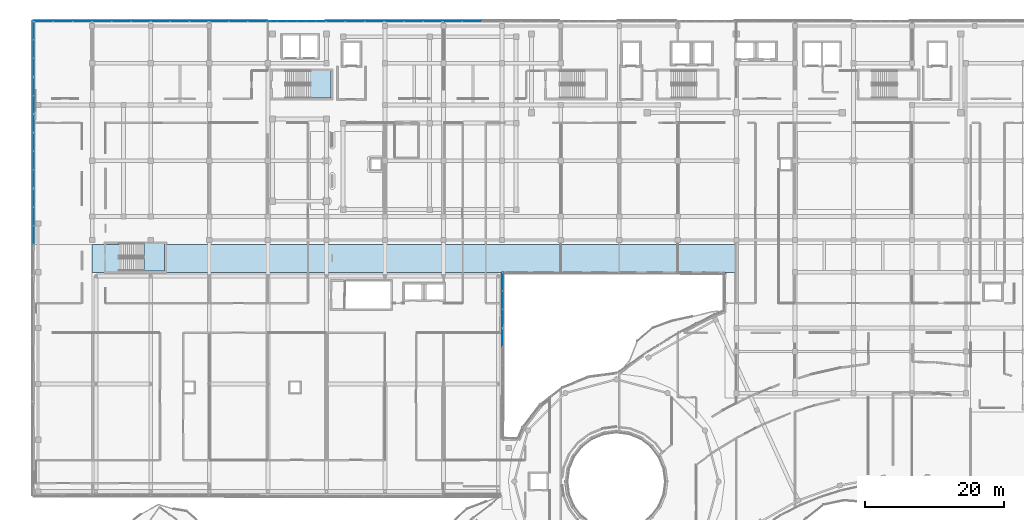
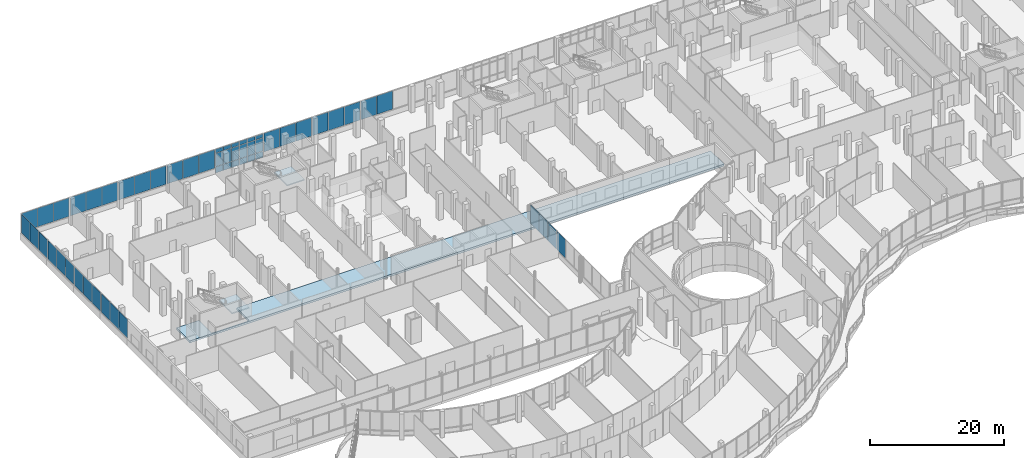
# One storey, part 122 of 155: 54 plates, 3 slabs, 16 elements without a shape of their own.
"""IFC4 building model written with IfcOpenShell, lengths in metres."""

from ifc_helpers import new_model, si_unit, direction, frame, origin, origin_2d, place, context, subcontext, project, spatial, polyline, rectangle, outline, extrude, material, layer, layer_set, type_object, element, aggregate, save


model = new_model("IFC4")

# Units and contexts
model_context = context("Model", 3, precision=1e-05, world=origin(), true_north=direction((0.0, 1.0)))
body_context = subcontext(model_context, "Body", "Model", "MODEL_VIEW")
ifc_project = project(units=[si_unit("LENGTHUNIT", "METRE"), si_unit("AREAUNIT", "SQUARE_METRE"), si_unit("VOLUMEUNIT", "CUBIC_METRE"), si_unit("PLANEANGLEUNIT", "RADIAN"), si_unit("MASSUNIT", "GRAM", prefix="KILO")], contexts=[model_context])

# Site, building, storey
site_placement = place(None, origin())
site = spatial("IfcSite", under=ifc_project, at=site_placement, CompositionType="ELEMENT")
building_placement = place(site_placement, origin())
building = spatial("IfcBuilding", under=site, at=building_placement, Name="Selatvlak General Hospital", CompositionType="ELEMENT")
storey_placement = place(building_placement, frame((0.0, 0.0, 10.199951171875)))
storey = spatial("IfcBuildingStorey", under=building, at=storey_placement, Name="L02", CompositionType="ELEMENT", Elevation=10.199951171875)

# Curtain wall, plates
ifc_material_1 = material(Name="Solar-control Low-E double glazing", Category="glass")
curtain_wall_type_1 = type_object("IfcCurtainWallType", Name="CW-CW-02", PredefinedType="USERDEFINED", material=ifc_material_1)
curtain_wall_1_placement = place(storey_placement, origin())
curtain_wall_1 = element("IfcCurtainWall", 1, at=curtain_wall_1_placement, inside=storey, type_object=curtain_wall_type_1, Name="Glazed facade curtain wall CW-L02-0239", ObjectType="UNITISED CURTAIN WALL", PredefinedType="USERDEFINED")
ifc_layer_1 = layer(ifc_material_1, 0.028076171875, Name="Solar-control Low-E double glazing", Category="glass")
ifc_layer_set_1 = layer_set([ifc_layer_1], Name="Solar-control Low-E double glazing")
plate_type = type_object("IfcPlateType", Name="CWP-01", PredefinedType="CURTAIN_PANEL", material=ifc_layer_set_1)
plate_1_placement = place(storey_placement, frame((14.39990234375, 89.358642578125, 1.0048828125), z_axis=(0.0, 0.0, 1.0), x_axis=(0.0, 1.0, 0.0)))
plate_1 = element("IfcPlate", 2, at=plate_1_placement, type_object=plate_type, Name="CW-02 panel 1.1", PredefinedType="CURTAIN_PANEL", context=body_context, shape_type="SweptSolid", body=[
    extrude(rectangle(XDim=2.55908203125, YDim=0.028076171875, at=origin_2d()), origin(), (0.0, 0.0, 1.0), 3.389892578125),
])
plate_2_placement = place(storey_placement, frame((14.39990234375, 91.9990234375, 1.0048828125), z_axis=(0.0, 0.0, 1.0), x_axis=(0.0, 1.0, 0.0)))
plate_2 = element("IfcPlate", 3, at=plate_2_placement, type_object=plate_type, Name="CW-02 panel 2.1", PredefinedType="CURTAIN_PANEL", context=body_context, shape_type="SweptSolid", body=[
    extrude(rectangle(XDim=2.591552734375, YDim=0.028076171875, at=origin_2d()), origin(), (0.0, 0.0, 1.0), 3.389892578125),
])
plate_3_placement = place(storey_placement, frame((14.39990234375, 94.639404296875, 1.0048828125), z_axis=(0.0, 0.0, 1.0), x_axis=(0.0, 1.0, 0.0)))
plate_3 = element("IfcPlate", 4, at=plate_3_placement, type_object=plate_type, Name="CW-02 panel 3.1", PredefinedType="CURTAIN_PANEL", context=body_context, shape_type="SweptSolid", body=[
    extrude(rectangle(XDim=2.55908203125, YDim=0.028076171875, at=origin_2d()), origin(), (0.0, 0.0, 1.0), 3.389892578125),
])
aggregate(curtain_wall_1, [plate_1, plate_2, plate_3])

curtain_wall_type_2 = type_object("IfcCurtainWallType", Name="CW-CW-01", PredefinedType="USERDEFINED", material=ifc_material_1)
curtain_wall_2_placement = place(storey_placement, origin())
curtain_wall_2 = element("IfcCurtainWall", 5, at=curtain_wall_2_placement, inside=storey, type_object=curtain_wall_type_2, Name="Glazed facade curtain wall CW-L02-0240", ObjectType="UNITISED CURTAIN WALL", PredefinedType="USERDEFINED")
plate_4_placement = place(storey_placement, frame((14.39990234375, 97.400146484375, 1.0048828125), z_axis=(0.0, 0.0, 1.0), x_axis=(0.0, 1.0, 0.0)))
plate_4 = element("IfcPlate", 6, at=plate_4_placement, type_object=plate_type, Name="CW-01 panel 1.1", PredefinedType="CURTAIN_PANEL", context=body_context, shape_type="SweptSolid", body=[
    extrude(rectangle(XDim=2.54248046875, YDim=0.028076171875, at=origin_2d()), origin(), (0.0, 0.0, 1.0), 3.389892578125),
])
plate_5_placement = place(storey_placement, frame((14.39990234375, 100.02392578125, 1.0048828125), z_axis=(0.0, 0.0, 1.0), x_axis=(0.0, 1.0, 0.0)))
plate_5 = element("IfcPlate", 7, at=plate_5_placement, type_object=plate_type, Name="CW-01 panel 2.1", PredefinedType="CURTAIN_PANEL", context=body_context, shape_type="SweptSolid", body=[
    extrude(rectangle(XDim=2.574951171875, YDim=0.028076171875, at=origin_2d()), origin(), (0.0, 0.0, 1.0), 3.389892578125),
])
plate_6_placement = place(storey_placement, frame((14.39990234375, 102.647705078125, 1.0048828125), z_axis=(0.0, 0.0, 1.0), x_axis=(0.0, 1.0, 0.0)))
plate_6 = element("IfcPlate", 8, at=plate_6_placement, type_object=plate_type, Name="CW-01 panel 3.1", PredefinedType="CURTAIN_PANEL", context=body_context, shape_type="SweptSolid", body=[
    extrude(rectangle(XDim=2.54248046875, YDim=0.028076171875, at=origin_2d()), origin(), (0.0, 0.0, 1.0), 3.389892578125),
])
aggregate(curtain_wall_2, [plate_4, plate_5, plate_6])

curtain_wall_3_placement = place(storey_placement, origin())
curtain_wall_3 = element("IfcCurtainWall", 9, at=curtain_wall_3_placement, inside=storey, type_object=curtain_wall_type_1, Name="Glazed facade curtain wall CW-L02-0241", ObjectType="UNITISED CURTAIN WALL", PredefinedType="USERDEFINED")
plate_7_placement = place(storey_placement, frame((14.39990234375, 105.400146484375, 1.0048828125), z_axis=(0.0, 0.0, 1.0), x_axis=(0.0, 1.0, 0.0)))
plate_7 = element("IfcPlate", 10, at=plate_7_placement, type_object=plate_type, Name="CW-02 panel 1.1", PredefinedType="CURTAIN_PANEL", context=body_context, shape_type="SweptSolid", body=[
    extrude(rectangle(XDim=2.54248046875, YDim=0.028076171875, at=origin_2d()), origin(), (0.0, 0.0, 1.0), 3.389892578125),
])
plate_8_placement = place(storey_placement, frame((14.39990234375, 108.02392578125, 1.0048828125), z_axis=(0.0, 0.0, 1.0), x_axis=(0.0, 1.0, 0.0)))
plate_8 = element("IfcPlate", 11, at=plate_8_placement, type_object=plate_type, Name="CW-02 panel 2.1", PredefinedType="CURTAIN_PANEL", context=body_context, shape_type="SweptSolid", body=[
    extrude(rectangle(XDim=2.574951171875, YDim=0.028076171875, at=origin_2d()), origin(), (0.0, 0.0, 1.0), 3.389892578125),
])
plate_9_placement = place(storey_placement, frame((14.39990234375, 110.647705078125, 1.0048828125), z_axis=(0.0, 0.0, 1.0), x_axis=(0.0, 1.0, 0.0)))
plate_9 = element("IfcPlate", 12, at=plate_9_placement, type_object=plate_type, Name="CW-02 panel 3.1", PredefinedType="CURTAIN_PANEL", context=body_context, shape_type="SweptSolid", body=[
    extrude(rectangle(XDim=2.54248046875, YDim=0.028076171875, at=origin_2d()), origin(), (0.0, 0.0, 1.0), 3.389892578125),
])
aggregate(curtain_wall_3, [plate_7, plate_8, plate_9])

curtain_wall_4_placement = place(storey_placement, origin())
curtain_wall_4 = element("IfcCurtainWall", 13, at=curtain_wall_4_placement, inside=storey, type_object=curtain_wall_type_2, Name="Glazed facade curtain wall CW-L02-0242", ObjectType="UNITISED CURTAIN WALL", PredefinedType="USERDEFINED")
plate_10_placement = place(storey_placement, frame((14.39990234375, 113.400146484375, 1.0048828125), z_axis=(0.0, 0.0, 1.0), x_axis=(0.0, 1.0, 0.0)))
plate_10 = element("IfcPlate", 14, at=plate_10_placement, type_object=plate_type, Name="CW-01 panel 1.1", PredefinedType="CURTAIN_PANEL", context=body_context, shape_type="SweptSolid", body=[
    extrude(rectangle(XDim=2.54248046875, YDim=0.028076171875, at=origin_2d()), origin(), (0.0, 0.0, 1.0), 3.389892578125),
])
plate_11_placement = place(storey_placement, frame((14.39990234375, 116.02392578125, 1.0048828125), z_axis=(0.0, 0.0, 1.0), x_axis=(0.0, 1.0, 0.0)))
plate_11 = element("IfcPlate", 15, at=plate_11_placement, type_object=plate_type, Name="CW-01 panel 2.1", PredefinedType="CURTAIN_PANEL", context=body_context, shape_type="SweptSolid", body=[
    extrude(rectangle(XDim=2.574951171875, YDim=0.028076171875, at=origin_2d()), origin(), (0.0, 0.0, 1.0), 3.389892578125),
])
plate_12_placement = place(storey_placement, frame((14.39990234375, 118.647705078125, 1.0048828125), z_axis=(0.0, 0.0, 1.0), x_axis=(0.0, 1.0, 0.0)))
plate_12 = element("IfcPlate", 16, at=plate_12_placement, type_object=plate_type, Name="CW-01 panel 3.1", PredefinedType="CURTAIN_PANEL", context=body_context, shape_type="SweptSolid", body=[
    extrude(rectangle(XDim=2.54248046875, YDim=0.028076171875, at=origin_2d()), origin(), (0.0, 0.0, 1.0), 3.389892578125),
])
aggregate(curtain_wall_4, [plate_10, plate_11, plate_12])

curtain_wall_5_placement = place(storey_placement, origin())
curtain_wall_5 = element("IfcCurtainWall", 17, at=curtain_wall_5_placement, inside=storey, type_object=curtain_wall_type_1, Name="Glazed facade curtain wall CW-L02-0243", ObjectType="UNITISED CURTAIN WALL", PredefinedType="USERDEFINED")
plate_13_placement = place(storey_placement, frame((15.864501953125, 119.9990234375, 1.0048828125), z_axis=(0.0, 0.0, 1.0), x_axis=(1.0, 0.0, 0.0)))
plate_13 = element("IfcPlate", 18, at=plate_13_placement, type_object=plate_type, Name="CW-02 panel 1.1", PredefinedType="CURTAIN_PANEL", context=body_context, shape_type="SweptSolid", body=[
    extrude(rectangle(XDim=2.669189453125, YDim=0.028076171875, at=origin_2d()), origin(), (0.0, 0.0, 1.0), 3.389892578125),
])
plate_14_placement = place(storey_placement, frame((18.614990234375, 119.9990234375, 1.0048828125), z_axis=(0.0, 0.0, 1.0), x_axis=(1.0, 0.0, 0.0)))
plate_14 = element("IfcPlate", 19, at=plate_14_placement, type_object=plate_type, Name="CW-02 panel 2.1", PredefinedType="CURTAIN_PANEL", context=body_context, shape_type="SweptSolid", body=[
    extrude(rectangle(XDim=2.70166015625, YDim=0.028076171875, at=origin_2d()), origin(), (0.0, 0.0, 1.0), 3.389892578125),
])
plate_15_placement = place(storey_placement, frame((21.365478515625, 119.9990234375, 1.0048828125), z_axis=(0.0, 0.0, 1.0), x_axis=(1.0, 0.0, 0.0)))
plate_15 = element("IfcPlate", 20, at=plate_15_placement, type_object=plate_type, Name="CW-02 panel 3.1", PredefinedType="CURTAIN_PANEL", context=body_context, shape_type="SweptSolid", body=[
    extrude(rectangle(XDim=2.669189453125, YDim=0.028076171875, at=origin_2d()), origin(), (0.0, 0.0, 1.0), 3.389892578125),
])
aggregate(curtain_wall_5, [plate_13, plate_14, plate_15])

curtain_wall_6_placement = place(storey_placement, origin())
curtain_wall_6 = element("IfcCurtainWall", 21, at=curtain_wall_6_placement, inside=storey, type_object=curtain_wall_type_2, Name="Glazed facade curtain wall CW-L02-0244", ObjectType="UNITISED CURTAIN WALL", PredefinedType="USERDEFINED")
plate_16_placement = place(storey_placement, frame((24.24462890625, 119.9990234375, 1.0048828125), z_axis=(0.0, 0.0, 1.0), x_axis=(1.0, 0.0, 0.0)))
plate_16 = element("IfcPlate", 22, at=plate_16_placement, type_object=plate_type, Name="CW-01 panel 1.1", PredefinedType="CURTAIN_PANEL", context=body_context, shape_type="SweptSolid", body=[
    extrude(rectangle(XDim=2.669189453125, YDim=0.028076171875, at=origin_2d()), origin(), (0.0, 0.0, 1.0), 3.389892578125),
])
plate_17_placement = place(storey_placement, frame((26.9951171875, 119.9990234375, 1.0048828125), z_axis=(0.0, 0.0, 1.0), x_axis=(1.0, 0.0, 0.0)))
plate_17 = element("IfcPlate", 23, at=plate_17_placement, type_object=plate_type, Name="CW-01 panel 2.1", PredefinedType="CURTAIN_PANEL", context=body_context, shape_type="SweptSolid", body=[
    extrude(rectangle(XDim=2.70166015625, YDim=0.028076171875, at=origin_2d()), origin(), (0.0, 0.0, 1.0), 3.389892578125),
])
plate_18_placement = place(storey_placement, frame((29.745361328125, 119.9990234375, 1.0048828125), z_axis=(0.0, 0.0, 1.0), x_axis=(1.0, 0.0, 0.0)))
plate_18 = element("IfcPlate", 24, at=plate_18_placement, type_object=plate_type, Name="CW-01 panel 3.1", PredefinedType="CURTAIN_PANEL", context=body_context, shape_type="SweptSolid", body=[
    extrude(rectangle(XDim=2.669189453125, YDim=0.028076171875, at=origin_2d()), origin(), (0.0, 0.0, 1.0), 3.389892578125),
])
aggregate(curtain_wall_6, [plate_16, plate_17, plate_18])

curtain_wall_7_placement = place(storey_placement, origin())
curtain_wall_7 = element("IfcCurtainWall", 25, at=curtain_wall_7_placement, inside=storey, type_object=curtain_wall_type_1, Name="Glazed facade curtain wall CW-L02-0245", ObjectType="UNITISED CURTAIN WALL", PredefinedType="USERDEFINED")
plate_19_placement = place(storey_placement, frame((32.62451171875, 119.9990234375, 1.0048828125), z_axis=(0.0, 0.0, 1.0), x_axis=(1.0, 0.0, 0.0)))
plate_19 = element("IfcPlate", 26, at=plate_19_placement, type_object=plate_type, Name="CW-02 panel 1.1", PredefinedType="CURTAIN_PANEL", context=body_context, shape_type="SweptSolid", body=[
    extrude(rectangle(XDim=2.669189453125, YDim=0.028076171875, at=origin_2d()), origin(), (0.0, 0.0, 1.0), 3.389892578125),
])
plate_20_placement = place(storey_placement, frame((35.375, 119.9990234375, 1.0048828125), z_axis=(0.0, 0.0, 1.0), x_axis=(1.0, 0.0, 0.0)))
plate_20 = element("IfcPlate", 27, at=plate_20_placement, type_object=plate_type, Name="CW-02 panel 2.1", PredefinedType="CURTAIN_PANEL", context=body_context, shape_type="SweptSolid", body=[
    extrude(rectangle(XDim=2.70166015625, YDim=0.028076171875, at=origin_2d()), origin(), (0.0, 0.0, 1.0), 3.389892578125),
])
plate_21_placement = place(storey_placement, frame((38.12548828125, 119.9990234375, 1.0048828125), z_axis=(0.0, 0.0, 1.0), x_axis=(1.0, 0.0, 0.0)))
plate_21 = element("IfcPlate", 28, at=plate_21_placement, type_object=plate_type, Name="CW-02 panel 3.1", PredefinedType="CURTAIN_PANEL", context=body_context, shape_type="SweptSolid", body=[
    extrude(rectangle(XDim=2.669189453125, YDim=0.028076171875, at=origin_2d()), origin(), (0.0, 0.0, 1.0), 3.389892578125),
])
aggregate(curtain_wall_7, [plate_19, plate_20, plate_21])

curtain_wall_8_placement = place(storey_placement, origin())
curtain_wall_8 = element("IfcCurtainWall", 29, at=curtain_wall_8_placement, inside=storey, type_object=curtain_wall_type_2, Name="Glazed facade curtain wall CW-L02-0246", ObjectType="UNITISED CURTAIN WALL", PredefinedType="USERDEFINED")
plate_22_placement = place(storey_placement, frame((41.004638671875, 119.9990234375, 1.0048828125), z_axis=(0.0, 0.0, 1.0), x_axis=(1.0, 0.0, 0.0)))
plate_22 = element("IfcPlate", 30, at=plate_22_placement, type_object=plate_type, Name="CW-01 panel 1.1", PredefinedType="CURTAIN_PANEL", context=body_context, shape_type="SweptSolid", body=[
    extrude(rectangle(XDim=2.669189453125, YDim=0.028076171875, at=origin_2d()), origin(), (0.0, 0.0, 1.0), 3.389892578125),
])
plate_23_placement = place(storey_placement, frame((43.7548828125, 119.9990234375, 1.0048828125), z_axis=(0.0, 0.0, 1.0), x_axis=(1.0, 0.0, 0.0)))
plate_23 = element("IfcPlate", 31, at=plate_23_placement, type_object=plate_type, Name="CW-01 panel 2.1", PredefinedType="CURTAIN_PANEL", context=body_context, shape_type="SweptSolid", body=[
    extrude(rectangle(XDim=2.70166015625, YDim=0.028076171875, at=origin_2d()), origin(), (0.0, 0.0, 1.0), 3.389892578125),
])
plate_24_placement = place(storey_placement, frame((46.50537109375, 119.9990234375, 1.0048828125), z_axis=(0.0, 0.0, 1.0), x_axis=(1.0, 0.0, 0.0)))
plate_24 = element("IfcPlate", 32, at=plate_24_placement, type_object=plate_type, Name="CW-01 panel 3.1", PredefinedType="CURTAIN_PANEL", context=body_context, shape_type="SweptSolid", body=[
    extrude(rectangle(XDim=2.669189453125, YDim=0.028076171875, at=origin_2d()), origin(), (0.0, 0.0, 1.0), 3.389892578125),
])
aggregate(curtain_wall_8, [plate_22, plate_23, plate_24])

curtain_wall_type_3 = type_object("IfcCurtainWallType", Name="CW-CW-04", PredefinedType="USERDEFINED", material=ifc_material_1)
curtain_wall_9_placement = place(storey_placement, origin())
curtain_wall_9 = element("IfcCurtainWall", 33, at=curtain_wall_9_placement, inside=storey, type_object=curtain_wall_type_3, Name="Glazed facade curtain wall CW-L02-0247", ObjectType="STICK GLAZING WALL", PredefinedType="USERDEFINED")
plate_25_placement = place(storey_placement, frame((48.64697265625, 119.9990234375, 0.06494140625), z_axis=(0.0, 0.0, 1.0), x_axis=(1.0, 0.0, 0.0)))
plate_25 = element("IfcPlate", 34, at=plate_25_placement, type_object=plate_type, Name="CW-04 panel 1.1", PredefinedType="CURTAIN_PANEL", context=body_context, shape_type="SweptSolid", body=[
    extrude(rectangle(XDim=1.294189453125, YDim=0.028076171875, at=origin_2d()), origin(), (0.0, 0.0, 1.0), 1.1025390625),
])
plate_26_placement = place(storey_placement, frame((48.64697265625, 119.9990234375, 1.232421875), z_axis=(0.0, 0.0, 1.0), x_axis=(1.0, 0.0, 0.0)))
plate_26 = element("IfcPlate", 35, at=plate_26_placement, type_object=plate_type, Name="CW-04 panel 1.2", PredefinedType="CURTAIN_PANEL", context=body_context, shape_type="SweptSolid", body=[
    extrude(rectangle(XDim=1.294189453125, YDim=0.028076171875, at=origin_2d()), origin(), (0.0, 0.0, 1.0), 2.39501953125),
])
plate_27_placement = place(storey_placement, frame((48.64697265625, 119.9990234375, 3.6923828125), z_axis=(0.0, 0.0, 1.0), x_axis=(1.0, 0.0, 0.0)))
plate_27 = element("IfcPlate", 36, at=plate_27_placement, type_object=plate_type, Name="CW-04 panel 1.3", PredefinedType="CURTAIN_PANEL", context=body_context, shape_type="SweptSolid", body=[
    extrude(rectangle(XDim=1.294189453125, YDim=0.028076171875, at=origin_2d()), origin(), (0.0, 0.0, 1.0), 0.702392578125),
])
plate_28_placement = place(storey_placement, frame((50.0224609375, 119.9990234375, 0.06494140625), z_axis=(0.0, 0.0, 1.0), x_axis=(1.0, 0.0, 0.0)))
plate_28 = element("IfcPlate", 37, at=plate_28_placement, type_object=plate_type, Name="CW-04 panel 2.1", PredefinedType="CURTAIN_PANEL", context=body_context, shape_type="SweptSolid", body=[
    extrude(rectangle(XDim=1.32666015625, YDim=0.028076171875, at=origin_2d()), origin(), (0.0, 0.0, 1.0), 1.1025390625),
])
plate_29_placement = place(storey_placement, frame((50.0224609375, 119.9990234375, 1.232421875), z_axis=(0.0, 0.0, 1.0), x_axis=(1.0, 0.0, 0.0)))
plate_29 = element("IfcPlate", 38, at=plate_29_placement, type_object=plate_type, Name="CW-04 panel 2.2", PredefinedType="CURTAIN_PANEL", context=body_context, shape_type="SweptSolid", body=[
    extrude(rectangle(XDim=1.32666015625, YDim=0.028076171875, at=origin_2d()), origin(), (0.0, 0.0, 1.0), 2.39501953125),
])
plate_30_placement = place(storey_placement, frame((50.0224609375, 119.9990234375, 3.6923828125), z_axis=(0.0, 0.0, 1.0), x_axis=(1.0, 0.0, 0.0)))
plate_30 = element("IfcPlate", 39, at=plate_30_placement, type_object=plate_type, Name="CW-04 panel 2.3", PredefinedType="CURTAIN_PANEL", context=body_context, shape_type="SweptSolid", body=[
    extrude(rectangle(XDim=1.32666015625, YDim=0.028076171875, at=origin_2d()), origin(), (0.0, 0.0, 1.0), 0.702392578125),
])
plate_31_placement = place(storey_placement, frame((51.4140625, 119.9990234375, 0.06494140625), z_axis=(0.0, 0.0, 1.0), x_axis=(1.0, 0.0, 0.0)))
plate_31 = element("IfcPlate", 40, at=plate_31_placement, type_object=plate_type, Name="CW-04 panel 3.1", PredefinedType="CURTAIN_PANEL", context=body_context, shape_type="SweptSolid", body=[
    extrude(rectangle(XDim=1.32666015625, YDim=0.028076171875, at=origin_2d()), origin(), (0.0, 0.0, 1.0), 1.1025390625),
])
plate_32_placement = place(storey_placement, frame((51.4140625, 119.9990234375, 1.232421875), z_axis=(0.0, 0.0, 1.0), x_axis=(1.0, 0.0, 0.0)))
plate_32 = element("IfcPlate", 41, at=plate_32_placement, type_object=plate_type, Name="CW-04 panel 3.2", PredefinedType="CURTAIN_PANEL", context=body_context, shape_type="SweptSolid", body=[
    extrude(rectangle(XDim=1.32666015625, YDim=0.028076171875, at=origin_2d()), origin(), (0.0, 0.0, 1.0), 2.39501953125),
])
plate_33_placement = place(storey_placement, frame((51.4140625, 119.9990234375, 3.6923828125), z_axis=(0.0, 0.0, 1.0), x_axis=(1.0, 0.0, 0.0)))
plate_33 = element("IfcPlate", 42, at=plate_33_placement, type_object=plate_type, Name="CW-04 panel 3.3", PredefinedType="CURTAIN_PANEL", context=body_context, shape_type="SweptSolid", body=[
    extrude(rectangle(XDim=1.32666015625, YDim=0.028076171875, at=origin_2d()), origin(), (0.0, 0.0, 1.0), 0.702392578125),
])
plate_34_placement = place(storey_placement, frame((52.805908203125, 119.9990234375, 0.06494140625), z_axis=(0.0, 0.0, 1.0), x_axis=(1.0, 0.0, 0.0)))
plate_34 = element("IfcPlate", 43, at=plate_34_placement, type_object=plate_type, Name="CW-04 panel 4.1", PredefinedType="CURTAIN_PANEL", context=body_context, shape_type="SweptSolid", body=[
    extrude(rectangle(XDim=1.32666015625, YDim=0.028076171875, at=origin_2d()), origin(), (0.0, 0.0, 1.0), 1.1025390625),
])
plate_35_placement = place(storey_placement, frame((52.805908203125, 119.9990234375, 1.232421875), z_axis=(0.0, 0.0, 1.0), x_axis=(1.0, 0.0, 0.0)))
plate_35 = element("IfcPlate", 44, at=plate_35_placement, type_object=plate_type, Name="CW-04 panel 4.2", PredefinedType="CURTAIN_PANEL", context=body_context, shape_type="SweptSolid", body=[
    extrude(rectangle(XDim=1.32666015625, YDim=0.028076171875, at=origin_2d()), origin(), (0.0, 0.0, 1.0), 2.39501953125),
])
plate_36_placement = place(storey_placement, frame((52.805908203125, 119.9990234375, 3.6923828125), z_axis=(0.0, 0.0, 1.0), x_axis=(1.0, 0.0, 0.0)))
plate_36 = element("IfcPlate", 45, at=plate_36_placement, type_object=plate_type, Name="CW-04 panel 4.3", PredefinedType="CURTAIN_PANEL", context=body_context, shape_type="SweptSolid", body=[
    extrude(rectangle(XDim=1.32666015625, YDim=0.028076171875, at=origin_2d()), origin(), (0.0, 0.0, 1.0), 0.702392578125),
])
plate_37_placement = place(storey_placement, frame((54.197509765625, 119.9990234375, 0.06494140625), z_axis=(0.0, 0.0, 1.0), x_axis=(1.0, 0.0, 0.0)))
plate_37 = element("IfcPlate", 46, at=plate_37_placement, type_object=plate_type, Name="CW-04 panel 5.1", PredefinedType="CURTAIN_PANEL", context=body_context, shape_type="SweptSolid", body=[
    extrude(rectangle(XDim=1.32666015625, YDim=0.028076171875, at=origin_2d()), origin(), (0.0, 0.0, 1.0), 1.1025390625),
])
plate_38_placement = place(storey_placement, frame((54.197509765625, 119.9990234375, 1.232421875), z_axis=(0.0, 0.0, 1.0), x_axis=(1.0, 0.0, 0.0)))
plate_38 = element("IfcPlate", 47, at=plate_38_placement, type_object=plate_type, Name="CW-04 panel 5.2", PredefinedType="CURTAIN_PANEL", context=body_context, shape_type="SweptSolid", body=[
    extrude(rectangle(XDim=1.32666015625, YDim=0.028076171875, at=origin_2d()), origin(), (0.0, 0.0, 1.0), 2.39501953125),
])
plate_39_placement = place(storey_placement, frame((54.197509765625, 119.9990234375, 3.6923828125), z_axis=(0.0, 0.0, 1.0), x_axis=(1.0, 0.0, 0.0)))
plate_39 = element("IfcPlate", 48, at=plate_39_placement, type_object=plate_type, Name="CW-04 panel 5.3", PredefinedType="CURTAIN_PANEL", context=body_context, shape_type="SweptSolid", body=[
    extrude(rectangle(XDim=1.32666015625, YDim=0.028076171875, at=origin_2d()), origin(), (0.0, 0.0, 1.0), 0.702392578125),
])
plate_40_placement = place(storey_placement, frame((55.572998046875, 119.9990234375, 0.06494140625), z_axis=(0.0, 0.0, 1.0), x_axis=(1.0, 0.0, 0.0)))
plate_40 = element("IfcPlate", 49, at=plate_40_placement, type_object=plate_type, Name="CW-04 panel 6.1", PredefinedType="CURTAIN_PANEL", context=body_context, shape_type="SweptSolid", body=[
    extrude(rectangle(XDim=1.294189453125, YDim=0.028076171875, at=origin_2d()), origin(), (0.0, 0.0, 1.0), 1.1025390625),
])
plate_41_placement = place(storey_placement, frame((55.572998046875, 119.9990234375, 1.232421875), z_axis=(0.0, 0.0, 1.0), x_axis=(1.0, 0.0, 0.0)))
plate_41 = element("IfcPlate", 50, at=plate_41_placement, type_object=plate_type, Name="CW-04 panel 6.2", PredefinedType="CURTAIN_PANEL", context=body_context, shape_type="SweptSolid", body=[
    extrude(rectangle(XDim=1.294189453125, YDim=0.028076171875, at=origin_2d()), origin(), (0.0, 0.0, 1.0), 2.39501953125),
])
plate_42_placement = place(storey_placement, frame((55.572998046875, 119.9990234375, 3.6923828125), z_axis=(0.0, 0.0, 1.0), x_axis=(1.0, 0.0, 0.0)))
plate_42 = element("IfcPlate", 51, at=plate_42_placement, type_object=plate_type, Name="CW-04 panel 6.3", PredefinedType="CURTAIN_PANEL", context=body_context, shape_type="SweptSolid", body=[
    extrude(rectangle(XDim=1.294189453125, YDim=0.028076171875, at=origin_2d()), origin(), (0.0, 0.0, 1.0), 0.702392578125),
])
aggregate(curtain_wall_9, [plate_25, plate_26, plate_27, plate_28, plate_29, plate_30, plate_31, plate_32, plate_33, plate_34, plate_35, plate_36, plate_37, plate_38, plate_39, plate_40, plate_41, plate_42])

curtain_wall_10_placement = place(storey_placement, origin())
curtain_wall_10 = element("IfcCurtainWall", 52, at=curtain_wall_10_placement, inside=storey, type_object=curtain_wall_type_2, Name="Glazed facade curtain wall CW-L02-0248", ObjectType="UNITISED CURTAIN WALL", PredefinedType="USERDEFINED")
plate_43_placement = place(storey_placement, frame((57.722900390625, 119.9990234375, 1.0048828125), z_axis=(0.0, 0.0, 1.0), x_axis=(1.0, 0.0, 0.0)))
plate_43 = element("IfcPlate", 53, at=plate_43_placement, type_object=plate_type, Name="CW-01 panel 1.1", PredefinedType="CURTAIN_PANEL", context=body_context, shape_type="SweptSolid", body=[
    extrude(rectangle(XDim=2.685791015625, YDim=0.028076171875, at=origin_2d()), origin(), (0.0, 0.0, 1.0), 3.389892578125),
])
plate_44_placement = place(storey_placement, frame((60.489990234375, 119.9990234375, 1.0048828125), z_axis=(0.0, 0.0, 1.0), x_axis=(1.0, 0.0, 0.0)))
plate_44 = element("IfcPlate", 54, at=plate_44_placement, type_object=plate_type, Name="CW-01 panel 2.1", PredefinedType="CURTAIN_PANEL", context=body_context, shape_type="SweptSolid", body=[
    extrude(rectangle(XDim=2.71826171875, YDim=0.028076171875, at=origin_2d()), origin(), (0.0, 0.0, 1.0), 3.389892578125),
])
plate_45_placement = place(storey_placement, frame((63.257080078125, 119.9990234375, 1.0048828125), z_axis=(0.0, 0.0, 1.0), x_axis=(1.0, 0.0, 0.0)))
plate_45 = element("IfcPlate", 55, at=plate_45_placement, type_object=plate_type, Name="CW-01 panel 3.1", PredefinedType="CURTAIN_PANEL", context=body_context, shape_type="SweptSolid", body=[
    extrude(rectangle(XDim=2.685791015625, YDim=0.028076171875, at=origin_2d()), origin(), (0.0, 0.0, 1.0), 3.389892578125),
])
aggregate(curtain_wall_10, [plate_43, plate_44, plate_45])

curtain_wall_11_placement = place(storey_placement, origin())
curtain_wall_11 = element("IfcCurtainWall", 56, at=curtain_wall_11_placement, inside=storey, type_object=curtain_wall_type_1, Name="Glazed facade curtain wall CW-L02-0249", ObjectType="UNITISED CURTAIN WALL", PredefinedType="USERDEFINED")
plate_46_placement = place(storey_placement, frame((66.14453125, 119.9990234375, 1.0048828125), z_axis=(0.0, 0.0, 1.0), x_axis=(1.0, 0.0, 0.0)))
plate_46 = element("IfcPlate", 57, at=plate_46_placement, type_object=plate_type, Name="CW-02 panel 1.1", PredefinedType="CURTAIN_PANEL", context=body_context, shape_type="SweptSolid", body=[
    extrude(rectangle(XDim=2.669189453125, YDim=0.028076171875, at=origin_2d()), origin(), (0.0, 0.0, 1.0), 3.389892578125),
])
plate_47_placement = place(storey_placement, frame((68.89501953125, 119.9990234375, 1.0048828125), z_axis=(0.0, 0.0, 1.0), x_axis=(1.0, 0.0, 0.0)))
plate_47 = element("IfcPlate", 58, at=plate_47_placement, type_object=plate_type, Name="CW-02 panel 2.1", PredefinedType="CURTAIN_PANEL", context=body_context, shape_type="SweptSolid", body=[
    extrude(rectangle(XDim=2.70166015625, YDim=0.028076171875, at=origin_2d()), origin(), (0.0, 0.0, 1.0), 3.389892578125),
])
plate_48_placement = place(storey_placement, frame((71.6455078125, 119.9990234375, 1.0048828125), z_axis=(0.0, 0.0, 1.0), x_axis=(1.0, 0.0, 0.0)))
plate_48 = element("IfcPlate", 59, at=plate_48_placement, type_object=plate_type, Name="CW-02 panel 3.1", PredefinedType="CURTAIN_PANEL", context=body_context, shape_type="SweptSolid", body=[
    extrude(rectangle(XDim=2.669189453125, YDim=0.028076171875, at=origin_2d()), origin(), (0.0, 0.0, 1.0), 3.389892578125),
])
aggregate(curtain_wall_11, [plate_46, plate_47, plate_48])

curtain_wall_12_placement = place(storey_placement, origin())
curtain_wall_12 = element("IfcCurtainWall", 60, at=curtain_wall_12_placement, inside=storey, type_object=curtain_wall_type_2, Name="Glazed facade curtain wall CW-L02-0250", ObjectType="UNITISED CURTAIN WALL", PredefinedType="USERDEFINED")
plate_49_placement = place(storey_placement, frame((74.524658203125, 119.9990234375, 1.0048828125), z_axis=(0.0, 0.0, 1.0), x_axis=(1.0, 0.0, 0.0)))
plate_49 = element("IfcPlate", 61, at=plate_49_placement, type_object=plate_type, Name="CW-01 panel 1.1", PredefinedType="CURTAIN_PANEL", context=body_context, shape_type="SweptSolid", body=[
    extrude(rectangle(XDim=2.669189453125, YDim=0.028076171875, at=origin_2d()), origin(), (0.0, 0.0, 1.0), 3.389892578125),
])
plate_50_placement = place(storey_placement, frame((77.27490234375, 119.9990234375, 1.0048828125), z_axis=(0.0, 0.0, 1.0), x_axis=(1.0, 0.0, 0.0)))
plate_50 = element("IfcPlate", 62, at=plate_50_placement, type_object=plate_type, Name="CW-01 panel 2.1", PredefinedType="CURTAIN_PANEL", context=body_context, shape_type="SweptSolid", body=[
    extrude(rectangle(XDim=2.70166015625, YDim=0.028076171875, at=origin_2d()), origin(), (0.0, 0.0, 1.0), 3.389892578125),
])
aggregate(curtain_wall_12, [plate_49, plate_50])

curtain_wall_13_placement = place(storey_placement, origin())
curtain_wall_13 = element("IfcCurtainWall", 63, at=curtain_wall_13_placement, inside=storey, type_object=curtain_wall_type_1, Name="Glazed facade curtain wall CW-L02-0357", ObjectType="UNITISED CURTAIN WALL", PredefinedType="USERDEFINED")
plate_51_placement = place(storey_placement, frame((81.65673828125, 82.643798828125, 1.0048828125), z_axis=(0.0, 0.0, 1.0), x_axis=(-0.002515715314, -0.999996835583, 0.0)))
plate_51 = element("IfcPlate", 64, at=plate_51_placement, type_object=plate_type, Name="CW-02 panel 1.1", PredefinedType="CURTAIN_PANEL", context=body_context, shape_type="SweptSolid", body=[
    extrude(rectangle(XDim=2.552490234375, YDim=0.028076171875, at=origin_2d()), origin(), (0.0, 0.0, 1.0), 3.389892578125),
])
plate_52_placement = place(storey_placement, frame((81.64990234375, 80.010009765625, 1.0048828125), z_axis=(0.0, 0.0, 1.0), x_axis=(-0.002515715314, -0.999996835583, 0.0)))
plate_52 = element("IfcPlate", 65, at=plate_52_placement, type_object=plate_type, Name="CW-02 panel 2.1", PredefinedType="CURTAIN_PANEL", context=body_context, shape_type="SweptSolid", body=[
    extrude(rectangle(XDim=2.5849609375, YDim=0.028076171875, at=origin_2d()), origin(), (0.0, 0.0, 1.0), 3.389892578125),
])
plate_53_placement = place(storey_placement, frame((81.643310546875, 77.376220703125, 1.0048828125), z_axis=(0.0, 0.0, 1.0), x_axis=(-0.002515715314, -0.999996835583, 0.0)))
plate_53 = element("IfcPlate", 66, at=plate_53_placement, type_object=plate_type, Name="CW-02 panel 3.1", PredefinedType="CURTAIN_PANEL", context=body_context, shape_type="SweptSolid", body=[
    extrude(rectangle(XDim=2.552490234375, YDim=0.028076171875, at=origin_2d()), origin(), (0.0, 0.0, 1.0), 3.389892578125),
])
aggregate(curtain_wall_13, [plate_51, plate_52, plate_53])

# Curtain wall, plate
curtain_wall_14_placement = place(storey_placement, origin())
curtain_wall_14 = element("IfcCurtainWall", 67, at=curtain_wall_14_placement, inside=storey, type_object=curtain_wall_type_2, Name="Glazed facade curtain wall CW-L02-0358", ObjectType="UNITISED CURTAIN WALL", PredefinedType="USERDEFINED")
plate_54_placement = place(storey_placement, frame((81.63671875, 74.6220703125, 1.0048828125), z_axis=(0.0, 0.0, 1.0), x_axis=(-0.002531637448, -0.999996795401, 0.0)))
plate_54 = element("IfcPlate", 68, at=plate_54_placement, type_object=plate_type, Name="CW-01 panel 1.1", PredefinedType="CURTAIN_PANEL", context=body_context, shape_type="SweptSolid", body=[
    extrude(rectangle(XDim=2.535888671875, YDim=0.028076171875, at=origin_2d()), origin(), (0.0, 0.0, 1.0), 3.389892578125),
])
aggregate(curtain_wall_14, [plate_54])

# Stair, slab
ifc_material_2 = material(Name="Precast concrete C40/50", Category="concrete")
stair_type_1 = type_object("IfcStairType", Name="STAIR-ST-01", PredefinedType="HALF_TURN_STAIR", material=ifc_material_2)
stair_1_placement = place(storey_placement, origin())
stair_1 = element("IfcStair", 69, at=stair_1_placement, inside=storey, type_object=stair_type_1, Name="L02 Protected exit stair ST-01", PredefinedType="HALF_TURN_STAIR")
ifc_material_3 = material(Name="Concrete C40/50", Category="concrete")
ifc_layer_2 = layer(ifc_material_3, 0.199951171875, Name="Concrete C40/50", Category="concrete")
ifc_layer_set_2 = layer_set([ifc_layer_2], Name="Concrete C40/50")
slab_type_1 = type_object("IfcSlabType", Name="SLAB-LND1", PredefinedType="LANDING", material=ifc_layer_set_2)
slab_1_placement = place(storey_placement, frame((0.0, 0.0, 2.199951171875)))
slab_1 = element("IfcSlab", 70, at=slab_1_placement, type_object=slab_type_1, Name="ST-01 landing 1", PredefinedType="LANDING", context=body_context, shape_type="SweptSolid", body=[
    extrude(outline(polyline([(54.06494140625, 109.0), (57.050048828125, 109.0), (57.050048828125, 112.93994140625), (54.06494140625, 112.93994140625), (54.06494140625, 109.0)])), origin(), (0.0, 0.0, 1.0), 0.2001953125),
])
aggregate(stair_1, [slab_1])

stair_type_2 = type_object("IfcStairType", Name="STAIR-ST-07", PredefinedType="HALF_TURN_STAIR", material=ifc_material_2)
stair_2_placement = place(storey_placement, origin())
stair_2 = element("IfcStair", 71, at=stair_2_placement, inside=storey, type_object=stair_type_2, Name="L02 Protected exit stair ST-07", PredefinedType="HALF_TURN_STAIR")
slab_2_placement = place(storey_placement, frame((0.0, 0.0, 2.199951171875)))
slab_2 = element("IfcSlab", 72, at=slab_2_placement, type_object=slab_type_1, Name="ST-07 landing 1", PredefinedType="LANDING", context=body_context, shape_type="SweptSolid", body=[
    extrude(outline(polyline([(30.215087890625, 84.199951171875), (33.199951171875, 84.199951171875), (33.199951171875, 88.139892578125), (30.215087890625, 88.139892578125), (30.215087890625, 84.199951171875)])), origin(), (0.0, 0.0, 1.0), 0.2001953125),
])
aggregate(stair_2, [slab_2])

# Slab
ifc_layer_3 = layer(ifc_material_3, 0.35498046875, Name="Concrete C40/50", Category="concrete")
ifc_layer_set_3 = layer_set([ifc_layer_3], Name="Concrete C40/50")
slab_type_2 = type_object("IfcSlabType", Name="SLAB-SL-FL2", PredefinedType="FLOOR", material=ifc_layer_set_3)
slab_3_placement = place(storey_placement, frame((0.0, 0.0, -0.35498046875)))
element("IfcSlab", 73, at=slab_3_placement, inside=storey, type_object=slab_type_2, Name="L02 V3S structural slab", PredefinedType="FLOOR", context=body_context, shape_type="SweptSolid", body=[
    extrude(outline(polyline([(115.199951171875, 84.0), (22.80810546875, 84.008056640625), (22.80810546875, 88.0), (26.705078125, 88.0), (26.705078125, 84.199951171875), (33.199951171875, 84.199951171875), (33.199951171875, 88.0), (115.199951171875, 88.0), (115.199951171875, 84.0)])), origin(), (0.0, 0.0, 1.0), 0.35498046875),
])

save(model, "model.ifc")
